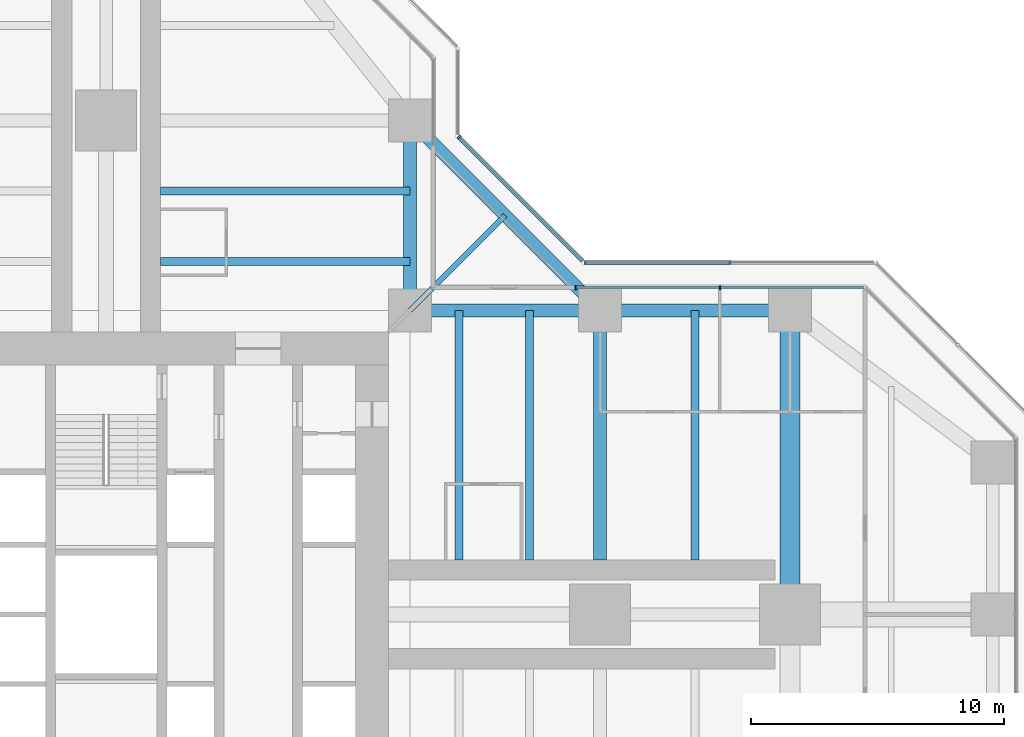
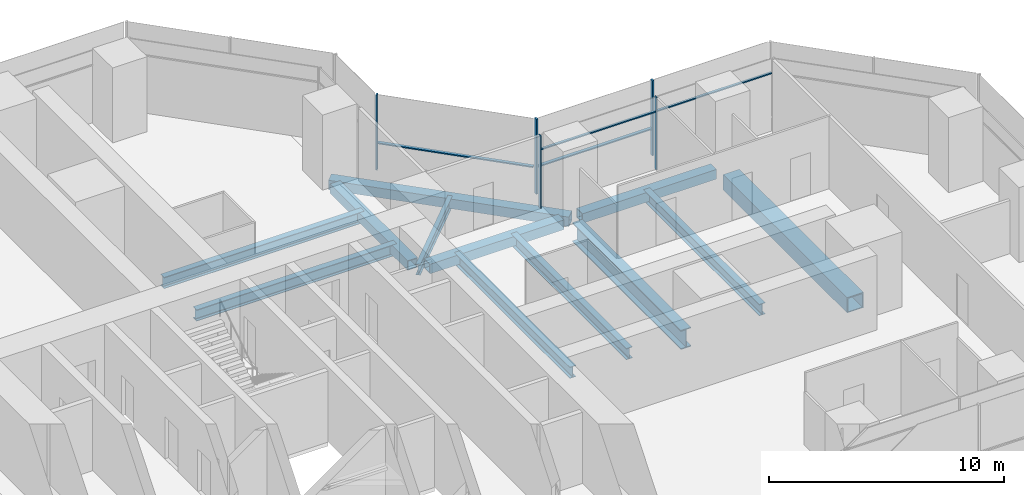
# One storey, part 9 of 20: 12 beams, 9 members, 3 elements without a shape of their own.
"""IFC4 building model written with IfcOpenShell, lengths in metres."""

from ifc_helpers import new_model, si_unit, direction, frame, origin, origin_2d, place, context, subcontext, project, spatial, rectangle, hollow_rectangle, i_section, extrude, material, material_profile, profile_set, type_object, element, aggregate, save


model = new_model("IFC4")

# Units and contexts
model_context = context("Model", 3, precision=1e-05, world=origin(), true_north=direction((0.0, 1.0)))
body_context = subcontext(model_context, "Body", "Model", "MODEL_VIEW")
ifc_project = project(units=[si_unit("LENGTHUNIT", "METRE"), si_unit("AREAUNIT", "SQUARE_METRE"), si_unit("VOLUMEUNIT", "CUBIC_METRE"), si_unit("PLANEANGLEUNIT", "RADIAN"), si_unit("MASSUNIT", "GRAM", prefix="KILO")], contexts=[model_context])

# Site, building, storey
site_placement = place(None, origin())
site = spatial("IfcSite", under=ifc_project, at=site_placement, CompositionType="ELEMENT")
building_placement = place(site_placement, origin())
building = spatial("IfcBuilding", under=site, at=building_placement, Name="Mizan Broadcast Tower", CompositionType="ELEMENT")
storey_placement = place(building_placement, frame((0.0, 0.0, 147.60009765625)))
storey = spatial("IfcBuildingStorey", under=building, at=storey_placement, Name="L33", CompositionType="ELEMENT", Elevation=147.60009765625)

# Beams
ifc_material_1 = material(Name="Steel S355", Category="steel")
ifc_material_profile_1 = material_profile(ifc_material_1, hollow_rectangle(XDim=0.5, YDim=0.5, WallThickness=0.030029296875, at=origin_2d()), Name="BOX 500x500x30")
ifc_profile_set_1 = profile_set([ifc_material_profile_1], Name="Steel S355")
beam_type_1 = type_object("IfcBeamType", Name="EDGE BEAM BOX 500x500x30", PredefinedType="SPANDREL", material=ifc_profile_set_1)
for number, where, z_axis, x_axis, name in (
    (1, (12.449951171875, 12.0, -0.380126953125), (1.0, 0.0, 0.0), (0.0, 1.0, 0.0), "Edge beam BOX 500x500x30 L33 east arm"),
    (2, (19.949951171875, 12.0, -0.380126953125), (1.0, 0.0, 0.0), (0.0, 1.0, 0.0), "Edge beam BOX 500x500x30 L33 east arm"),
    (3, (12.0, 12.449951171875, -0.380126953125), (0.0, 1.0, 0.0), (-1.0, 0.0, 0.0), "Edge beam BOX 500x500x30 L33 north arm"),
):
    element("IfcBeam", number, at=place(storey_placement, frame(where, z_axis=z_axis, x_axis=x_axis)), inside=storey, type_object=beam_type_1, Name=name, PredefinedType="SPANDREL", context=body_context, shape_type="SweptSolid", body=[
        extrude(hollow_rectangle(XDim=0.5, YDim=0.5, WallThickness=0.030029296875, at=origin_2d()), origin(), (0.0, 0.0, 1.0), 6.60009765625),
    ])
beam_1_placement = place(storey_placement, frame((19.5, 12.0, -0.380126953125), z_axis=(-0.707106781187, 0.707106781187, 0.0), x_axis=(-0.707106781187, -0.707106781187, 0.0)))
element("IfcBeam", 4, at=beam_1_placement, inside=storey, type_object=beam_type_1, Name="Winter garden edge beam L33 E", PredefinedType="SPANDREL", context=body_context, shape_type="SweptSolid", body=[
    extrude(hollow_rectangle(XDim=0.5, YDim=0.5, WallThickness=0.030029296875, at=origin_2d()), origin(), (0.0, 0.0, 1.0), 10.606689453125),
])
ifc_material_2 = material(Name="Steel S460", Category="steel")
ifc_material_profile_2 = material_profile(ifc_material_2, hollow_rectangle(XDim=0.800048828125, YDim=0.800048828125, WallThickness=0.050048828125, at=origin_2d()), Name="BOX 800x800x50")
ifc_profile_set_2 = profile_set([ifc_material_profile_2], Name="Steel S460")
beam_type_2 = type_object("IfcBeamType", Name="GIRDER BOX 800x800x50", PredefinedType="BEAM", material=ifc_profile_set_2)
beam_2_placement = place(storey_placement, frame((27.0, 11.280029296875, -0.530029296875), z_axis=(0.0, -1.0, 0.0), x_axis=(1.0, 0.0, 0.0)))
element("IfcBeam", 5, at=beam_2_placement, inside=storey, type_object=beam_type_2, Name="Girder BOX 800x800x50 L33 east arm", PredefinedType="BEAM", context=body_context, shape_type="SweptSolid", body=[
    extrude(hollow_rectangle(XDim=0.800048828125, YDim=0.800048828125, WallThickness=0.050048828125, at=origin_2d()), origin(), (0.0, 0.0, 1.0), 10.56005859375),
])
ifc_material_3 = material(Name="Steel S460", Category="steel")
ifc_material_profile_3 = material_profile(ifc_material_3, i_section(OverallWidth=0.5, OverallDepth=1.0, WebThickness=0.02490234375, FlangeThickness=0.050048828125, at=origin_2d()), Name="WPG 1000x500")
ifc_profile_set_3 = profile_set([ifc_material_profile_3], Name="Steel S460")
beam_type_3 = type_object("IfcBeamType", Name="GIRDER WPG 1000x500", PredefinedType="BEAM", material=ifc_profile_set_3)
beam_3_placement = place(storey_placement, frame((19.5, 11.408935546875, -0.630126953125), z_axis=(0.0, -1.0, 0.0), x_axis=(1.0, 0.0, 0.0)))
element("IfcBeam", 6, at=beam_3_placement, inside=storey, type_object=beam_type_3, Name="Girder WPG 1000x500 L33 east arm", PredefinedType="BEAM", context=body_context, shape_type="SweptSolid", body=[
    extrude(i_section(OverallWidth=0.5, OverallDepth=1.0, WebThickness=0.02490234375, FlangeThickness=0.050048828125, at=origin_2d()), origin(), (0.0, 0.0, 1.0), 9.259033203125),
])

# Curtain wall, members
ifc_material_4 = material(Name="Aluminium framed glazing", Category="aluminium")
curtain_wall_type_1 = type_object("IfcCurtainWallType", Name="INNER SKIN MID ZONE", PredefinedType="USERDEFINED", material=ifc_material_4)
curtain_wall_1_placement = place(storey_placement, origin())
curtain_wall_1 = element("IfcCurtainWall", 7, at=curtain_wall_1_placement, inside=storey, type_object=curtain_wall_type_1, Name="Inner skin mid zone L33 E side", ObjectType="INNER SKIN MID ZONE", PredefinedType="USERDEFINED")
ifc_material_5 = material(Name="Aluminium, pale anodised", Category="aluminium")
ifc_material_profile_4 = material_profile(ifc_material_5, rectangle(XDim=0.159912109375, YDim=0.06005859375, at=origin_2d()), Name="MULLION 160x60")
ifc_profile_set_4 = profile_set([ifc_material_profile_4], Name="Aluminium, pale anodised")
member_type_1 = type_object("IfcMemberType", Name="INNER SKIN MULLION 60x160", PredefinedType="MULLION", material=ifc_profile_set_4)
member_1_placement = place(storey_placement, frame((24.229248046875, 12.89990234375, 0.0), z_axis=(0.0, 0.0, 1.0), x_axis=(0.0, -1.0, 0.0)))
member_1 = element("IfcMember", 8, at=member_1_placement, type_object=member_type_1, Name="Inner skin mid zone L33 E side mullion 2", PredefinedType="MULLION", context=body_context, shape_type="SweptSolid", body=[
    extrude(rectangle(XDim=0.159912109375, YDim=0.06005859375, at=origin_2d()), origin(), (0.0, 0.0, 1.0), 3.77001953125),
])
member_2_placement = place(storey_placement, frame((18.530029296875, 12.89990234375, 0.0), z_axis=(0.0, 0.0, 1.0), x_axis=(0.0, -1.0, 0.0)))
member_2 = element("IfcMember", 9, at=member_2_placement, type_object=member_type_1, Name="Inner skin mid zone L33 E side mullion 3", PredefinedType="MULLION", context=body_context, shape_type="SweptSolid", body=[
    extrude(rectangle(XDim=0.159912109375, YDim=0.06005859375, at=origin_2d()), origin(), (0.0, 0.0, 1.0), 3.77001953125),
])
ifc_material_6 = material(Name="Aluminium, pale anodised", Category="aluminium")
ifc_material_profile_5 = material_profile(ifc_material_6, rectangle(XDim=0.1201171875, YDim=0.06005859375, at=origin_2d()), Name="TRANSOM 120x60")
ifc_profile_set_5 = profile_set([ifc_material_profile_5], Name="Aluminium, pale anodised")
member_type_2 = type_object("IfcMemberType", Name="INNER SKIN TRANSOM 60x120", PredefinedType="USERDEFINED", material=ifc_profile_set_5)
member_3_placement = place(storey_placement, frame((29.898681640625, 12.89990234375, 3.02978515625), z_axis=(-1.0, 0.0, 0.0), x_axis=(0.0, -1.0, 0.0)))
member_3 = element("IfcMember", 10, at=member_3_placement, type_object=member_type_2, Name="Inner skin mid zone L33 E side transom 1.1", ObjectType="TRANSOM", PredefinedType="USERDEFINED", context=body_context, shape_type="SweptSolid", body=[
    extrude(rectangle(XDim=0.1201171875, YDim=0.06005859375, at=origin_2d()), origin(), (0.0, 0.0, 1.0), 5.639404296875),
])
member_4_placement = place(storey_placement, frame((24.19921875, 12.89990234375, 3.02978515625), z_axis=(-1.0, 0.0, 0.0), x_axis=(0.0, -1.0, 0.0)))
member_4 = element("IfcMember", 11, at=member_4_placement, type_object=member_type_2, Name="Inner skin mid zone L33 E side transom 2.1", ObjectType="TRANSOM", PredefinedType="USERDEFINED", context=body_context, shape_type="SweptSolid", body=[
    extrude(rectangle(XDim=0.1201171875, YDim=0.06005859375, at=origin_2d()), origin(), (0.0, 0.0, 1.0), 5.63916015625),
])
aggregate(curtain_wall_1, [member_1, member_2, member_3, member_4])

ifc_material_7 = material(Name="Aluminium framed glazing", Category="aluminium")
curtain_wall_type_2 = type_object("IfcCurtainWallType", Name="OUTER SKIN", PredefinedType="USERDEFINED", material=ifc_material_7)
curtain_wall_2_placement = place(storey_placement, origin())
curtain_wall_2 = element("IfcCurtainWall", 12, at=curtain_wall_2_placement, inside=storey, type_object=curtain_wall_type_2, Name="Outer skin L33 E side", ObjectType="OUTER SKIN", PredefinedType="USERDEFINED")
ifc_material_8 = material(Name="Aluminium, pale anodised", Category="aluminium")
ifc_material_profile_6 = material_profile(ifc_material_8, rectangle(XDim=0.159912109375, YDim=0.080078125, at=origin_2d()), Name="MULLION 160x80")
ifc_profile_set_6 = profile_set([ifc_material_profile_6], Name="Aluminium, pale anodised")
member_type_3 = type_object("IfcMemberType", Name="OUTER SKIN MULLION 80x160", PredefinedType="MULLION", material=ifc_profile_set_6)
member_5_placement = place(storey_placement, frame((24.622802734375, 13.89990234375, 0.0), z_axis=(0.0, 0.0, 1.0), x_axis=(0.0, -1.0, 0.0)))
member_5 = element("IfcMember", 13, at=member_5_placement, type_object=member_type_3, Name="Outer skin L33 E side mullion 2", PredefinedType="MULLION", context=body_context, shape_type="SweptSolid", body=[
    extrude(rectangle(XDim=0.159912109375, YDim=0.080078125, at=origin_2d()), origin(), (0.0, 0.0, 1.0), 3.89990234375),
])
member_6_placement = place(storey_placement, frame((18.912841796875, 13.89990234375, 0.0), z_axis=(0.0, 0.0, 1.0), x_axis=(0.0, -1.0, 0.0)))
member_6 = element("IfcMember", 14, at=member_6_placement, type_object=member_type_3, Name="Outer skin L33 E side mullion 3", PredefinedType="MULLION", context=body_context, shape_type="SweptSolid", body=[
    extrude(rectangle(XDim=0.159912109375, YDim=0.080078125, at=origin_2d()), origin(), (0.0, 0.0, 1.0), 3.89990234375),
])

# Curtain wall, member
curtain_wall_3_placement = place(storey_placement, origin())
curtain_wall_3 = element("IfcCurtainWall", 15, at=curtain_wall_3_placement, inside=storey, type_object=curtain_wall_type_2, Name="Outer skin L33 E chamfer", ObjectType="OUTER SKIN", PredefinedType="USERDEFINED")
member_7_placement = place(storey_placement, frame((13.92822265625, 18.844482421875, 0.0), z_axis=(0.0, 0.0, 1.0), x_axis=(-0.707106781187, -0.707106781187, 0.0)))
member_7 = element("IfcMember", 16, at=member_7_placement, type_object=member_type_3, Name="Outer skin L33 E chamfer mullion 2", PredefinedType="MULLION", context=body_context, shape_type="SweptSolid", body=[
    extrude(rectangle(XDim=0.159912109375, YDim=0.080078125, at=origin_2d()), origin(), (0.0, 0.0, 1.0), 3.89990234375),
])

# Member
ifc_material_9 = material(Name="Aluminium, pale anodised", Category="aluminium")
ifc_material_profile_7 = material_profile(ifc_material_9, rectangle(XDim=0.159912109375, YDim=0.06005859375, at=origin_2d()), Name="TRANSOM 160x60")
ifc_profile_set_7 = profile_set([ifc_material_profile_7], Name="Aluminium, pale anodised")
member_type_4 = type_object("IfcMemberType", Name="OUTER SKIN TRANSOM 60x160", PredefinedType="USERDEFINED", material=ifc_profile_set_7)
member_8_placement = place(storey_placement, frame((24.582763671875, 13.89990234375, 1.39990234375), z_axis=(-1.0, 0.0, 0.0), x_axis=(0.0, -1.0, 0.0)))
member_8 = element("IfcMember", 17, at=member_8_placement, type_object=member_type_4, Name="Outer skin L33 E side transom 2.1", ObjectType="TRANSOM", PredefinedType="USERDEFINED", context=body_context, shape_type="SweptSolid", body=[
    extrude(rectangle(XDim=0.159912109375, YDim=0.06005859375, at=origin_2d()), origin(), (0.0, 0.0, 1.0), 5.6298828125),
])

aggregate(curtain_wall_2, [member_5, member_6, member_8])

member_9_placement = place(storey_placement, frame((18.816162109375, 13.95654296875, 1.39990234375), z_axis=(-0.707106781187, 0.707106781187, 0.0), x_axis=(-0.707106781187, -0.707106781187, 0.0)))
member_9 = element("IfcMember", 18, at=member_9_placement, type_object=member_type_4, Name="Outer skin L33 E chamfer transom 1.1", ObjectType="TRANSOM", PredefinedType="USERDEFINED", context=body_context, shape_type="SweptSolid", body=[
    extrude(rectangle(XDim=0.159912109375, YDim=0.06005859375, at=origin_2d()), origin(), (0.0, 0.0, 1.0), 6.87255859375),
])

aggregate(curtain_wall_3, [member_7, member_9])

# Beams
ifc_material_10 = material(Name="Steel S355", Category="steel")
ifc_material_profile_8 = material_profile(ifc_material_10, i_section(OverallWidth=0.300048828125, OverallDepth=0.590087890625, WebThickness=0.012939453125, FlangeThickness=0.02490234375, FilletRadius=0.027099609375, at=origin_2d()), Name="HEA 600")
ifc_profile_set_8 = profile_set([ifc_material_profile_8], Name="Steel S355")
beam_type_4 = type_object("IfcBeamType", Name="SECONDARY BEAM HEA 600", PredefinedType="JOIST", material=ifc_profile_set_8)
for number, where, z_axis, x_axis, name in (
    (19, (13.933349609375, 12.0, -0.425048828125), (0.0, -1.0, 0.0), (1.0, 0.0, 0.0), "Secondary beam HEA 600 L33 east arm"),
    (20, (16.716552734375, 12.0, -0.425048828125), (0.0, -1.0, 0.0), (1.0, 0.0, 0.0), "Secondary beam HEA 600 L33 east arm"),
    (21, (23.25, 12.0, -0.425048828125), (0.0, -1.0, 0.0), (1.0, 0.0, 0.0), "Secondary beam HEA 600 L33 east arm"),
    (22, (12.0, 13.933349609375, -0.425048828125), (-1.0, 0.0, 0.0), (0.0, -1.0, 0.0), "Secondary beam HEA 600 L33 north arm"),
    (23, (12.0, 16.716552734375, -0.425048828125), (-1.0, 0.0, 0.0), (0.0, -1.0, 0.0), "Secondary beam HEA 600 L33 north arm"),
):
    element("IfcBeam", number, at=place(storey_placement, frame(where, z_axis=z_axis, x_axis=x_axis)), inside=storey, type_object=beam_type_4, Name=name, PredefinedType="JOIST", context=body_context, shape_type="SweptSolid", body=[
        extrude(i_section(OverallWidth=0.300048828125, OverallDepth=0.590087890625, WebThickness=0.012939453125, FlangeThickness=0.02490234375, FilletRadius=0.027099609375, at=origin_2d()), origin(), (0.0, 0.0, 1.0), 9.85009765625),
    ])
ifc_material_11 = material(Name="Steel S355", Category="steel")
ifc_material_profile_9 = material_profile(ifc_material_11, i_section(OverallWidth=0.2099609375, OverallDepth=0.550048828125, WebThickness=0.010986328125, FlangeThickness=0.01708984375, FilletRadius=0.02392578125, at=origin_2d()), Name="IPE 550")
ifc_profile_set_9 = profile_set([ifc_material_profile_9], Name="Steel S355")
beam_type_5 = type_object("IfcBeamType", Name="SECONDARY BEAM IPE 550", PredefinedType="JOIST", material=ifc_profile_set_9)
beam_4_placement = place(storey_placement, frame((12.0, 12.0, -0.405029296875), z_axis=(0.707106781187, 0.707106781187, 0.0), x_axis=(-0.707106781187, 0.707106781187, 0.0)))
element("IfcBeam", 24, at=beam_4_placement, inside=storey, type_object=beam_type_5, Name="Winter garden beam L33 E", PredefinedType="JOIST", context=body_context, shape_type="SweptSolid", body=[
    extrude(i_section(OverallWidth=0.2099609375, OverallDepth=0.550048828125, WebThickness=0.010986328125, FlangeThickness=0.01708984375, FilletRadius=0.02392578125, at=origin_2d()), origin(), (0.0, 0.0, 1.0), 5.30322265625),
])

save(model, "model.ifc")
